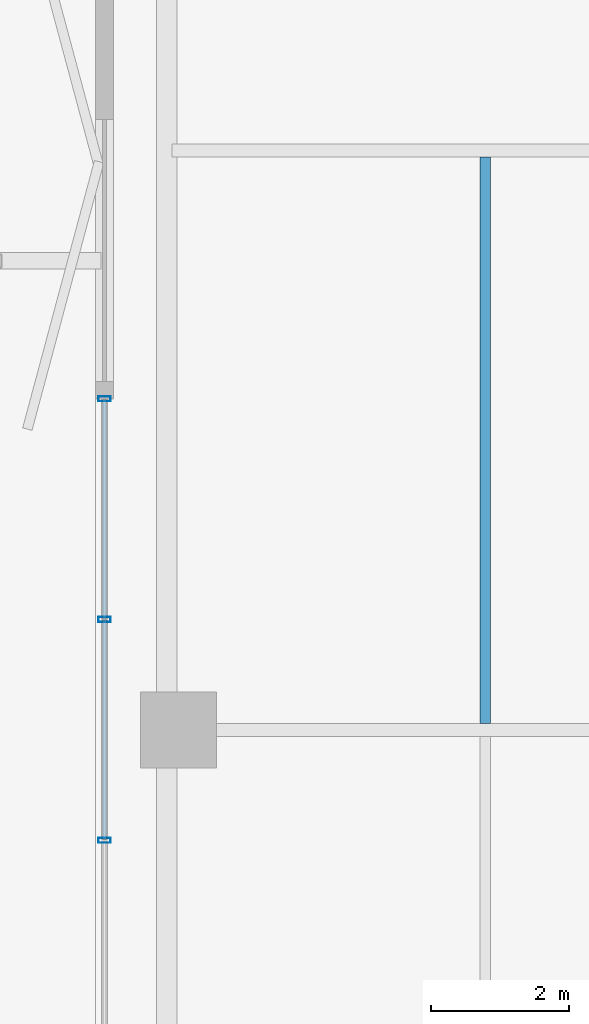
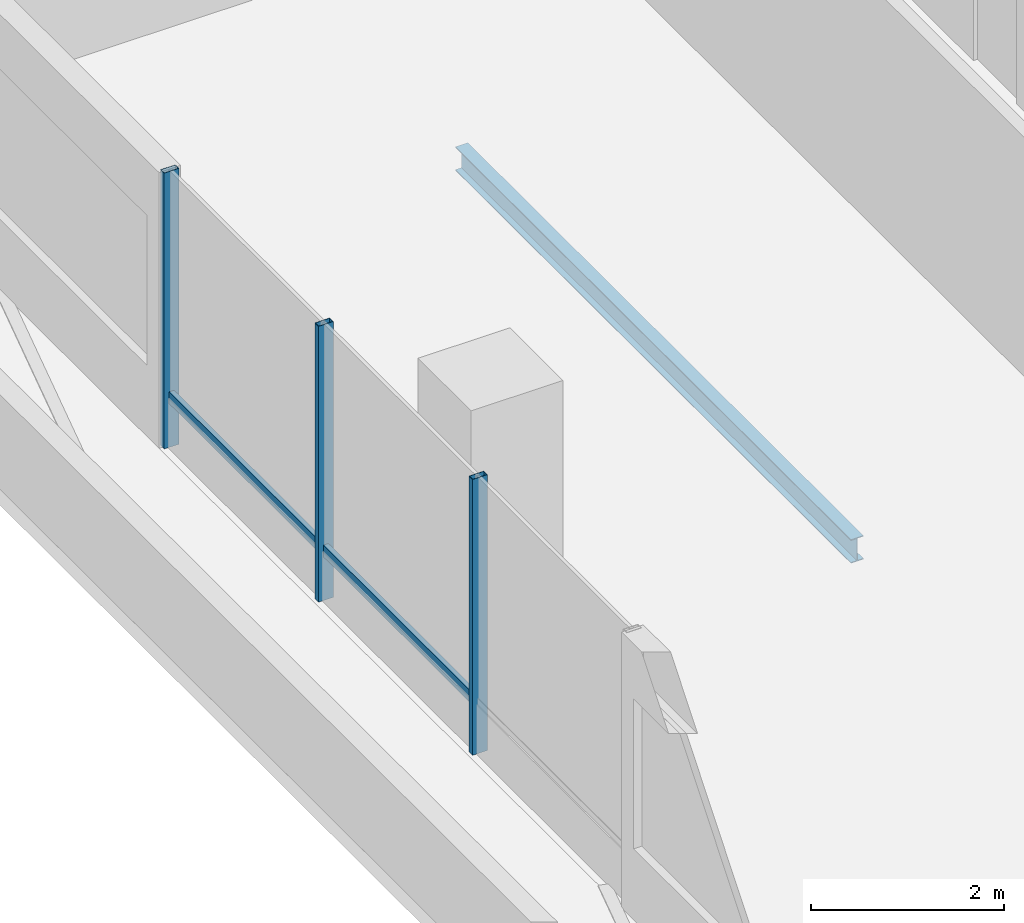
# One storey, part 6 of 16: 5 members, 1 beam, 1 element without a shape of its own.
"""IFC4 building model written with IfcOpenShell, lengths in metres."""

from ifc_helpers import new_model, si_unit, direction, frame, origin, origin_2d, place, context, subcontext, project, spatial, hollow_rectangle, i_section, extrude, material, layer, layer_set, material_profile, profile_set, type_object, element, aggregate, save


model = new_model("IFC4")

# Units and contexts
model_context = context("Model", 3, precision=1e-05, world=origin(), true_north=direction((0.0, 1.0)))
body_context = subcontext(model_context, "Body", "Model", "MODEL_VIEW")
ifc_project = project(units=[si_unit("LENGTHUNIT", "METRE"), si_unit("AREAUNIT", "SQUARE_METRE"), si_unit("VOLUMEUNIT", "CUBIC_METRE"), si_unit("PLANEANGLEUNIT", "RADIAN"), si_unit("MASSUNIT", "GRAM", prefix="KILO")], contexts=[model_context])

# Site, building, storey
site_placement = place(None, origin())
site = spatial("IfcSite", under=ifc_project, at=site_placement, CompositionType="ELEMENT")
building_placement = place(site_placement, origin())
building = spatial("IfcBuilding", under=site, at=building_placement, Name="Belovzor Exchange Tower", CompositionType="ELEMENT")
storey_placement = place(building_placement, frame((0.0, 0.0, 138.300048828125)))
storey = spatial("IfcBuildingStorey", under=building, at=storey_placement, Name="L33", CompositionType="ELEMENT", Elevation=138.300048828125)

# Beam
ifc_material_1 = material(Name="Steel S355", Category="steel")
ifc_material_profile_1 = material_profile(ifc_material_1, i_section(OverallWidth=0.14990234375, OverallDepth=0.300048828125, WebThickness=0.007080078125, FlangeThickness=0.0107421875, at=origin_2d()))
ifc_profile_set_1 = profile_set([ifc_material_profile_1], Name="Steel S355")
beam_type = type_object("IfcBeamType", Name="Secondary Trim Floor Joist IPE 300", PredefinedType="BEAM", material=ifc_profile_set_1)
beam_placement = place(storey_placement, frame((10.14892578125, 28.89501953125, -0.405029296875), z_axis=(0.0, 1.0, 0.0), x_axis=(-1.0, 0.0, 0.0)))
element("IfcBeam", 1, at=beam_placement, inside=storey, type_object=beam_type, Name="FJ-300 Secondary Trim Floor Joist IPE 300", PredefinedType="BEAM", context=body_context, shape_type="SweptSolid", body=[
    extrude(i_section(OverallWidth=0.14990234375, OverallDepth=0.300048828125, WebThickness=0.007080078125, FlangeThickness=0.0107421875, at=origin_2d()), origin(), (0.0, 0.0, 1.0), 8.2099609375),
])

# Curtain wall, members
ifc_material_2 = material(Name="Anodised Aluminium Framing", Category="aluminium")
ifc_layer = layer(ifc_material_2, 0.179931640625)
ifc_layer_set = layer_set([ifc_layer], Name="Anodised Aluminium Framing")
curtain_wall_type = type_object("IfcCurtainWallType", Name="Recessed Loggia Low-Iron Triple-Glazed Curtain Wall", PredefinedType="NOTDEFINED", material=ifc_layer_set)
curtain_wall_placement = place(storey_placement, origin())
curtain_wall = element("IfcCurtainWall", 2, at=curtain_wall_placement, inside=storey, type_object=curtain_wall_type, Name="CW3 Recessed Loggia Low-Iron Triple-Glazed Curtain Wall L33", PredefinedType="NOTDEFINED")
ifc_material_3 = material(Name="Steel S355", Category="steel")
ifc_material_profile_2 = material_profile(ifc_material_3, hollow_rectangle(XDim=0.074951171875, YDim=0.179931640625, WallThickness=0.0048828125, at=origin_2d()))
ifc_profile_set_2 = profile_set([ifc_material_profile_2], Name="Steel S355")
member_type_1 = type_object("IfcMemberType", Name="Thermally Broken Curtain Wall Mullion 180x75", PredefinedType="MULLION", material=ifc_profile_set_2)
member_1_placement = place(storey_placement, frame((4.6298828125, 27.199951171875, 0.0), z_axis=(0.0, 0.0, 1.0), x_axis=(0.0, 1.0, 0.0)))
member_1 = element("IfcMember", 3, at=member_1_placement, type_object=member_type_1, Name="CW-M180 Curtain Wall Mullion 2", PredefinedType="MULLION", context=body_context, shape_type="SweptSolid", body=[
    extrude(hollow_rectangle(XDim=0.074951171875, YDim=0.179931640625, WallThickness=0.0048828125, at=origin_2d()), origin(), (0.0, 0.0, 1.0), 3.494873046875),
])
member_2_placement = place(storey_placement, frame((4.6298828125, 30.39990234375, 0.0), z_axis=(0.0, 0.0, 1.0), x_axis=(0.0, 1.0, 0.0)))
member_2 = element("IfcMember", 4, at=member_2_placement, type_object=member_type_1, Name="CW-M180 Curtain Wall Mullion 3", PredefinedType="MULLION", context=body_context, shape_type="SweptSolid", body=[
    extrude(hollow_rectangle(XDim=0.074951171875, YDim=0.179931640625, WallThickness=0.0048828125, at=origin_2d()), origin(), (0.0, 0.0, 1.0), 3.494873046875),
])
member_3_placement = place(storey_placement, frame((4.6298828125, 33.60009765625, 0.0), z_axis=(0.0, 0.0, 1.0), x_axis=(0.0, 1.0, 0.0)))
member_3 = element("IfcMember", 5, at=member_3_placement, type_object=member_type_1, Name="CW-M180 Curtain Wall Mullion 4", PredefinedType="MULLION", context=body_context, shape_type="SweptSolid", body=[
    extrude(hollow_rectangle(XDim=0.074951171875, YDim=0.179931640625, WallThickness=0.0048828125, at=origin_2d()), origin(), (0.0, 0.0, 1.0), 3.494873046875),
])
ifc_material_4 = material(Name="Steel S355", Category="steel")
ifc_material_profile_3 = material_profile(ifc_material_4, hollow_rectangle(XDim=0.06005859375, YDim=0.14990234375, WallThickness=0.00390625, at=origin_2d()))
ifc_profile_set_3 = profile_set([ifc_material_profile_3], Name="Steel S355")
member_type_2 = type_object("IfcMemberType", Name="Thermally Broken Curtain Wall Transom 150x60", PredefinedType="USERDEFINED", material=ifc_profile_set_3)
member_4_placement = place(storey_placement, frame((4.6298828125, 27.2080078125, 0.62890625), z_axis=(0.0, 1.0, 0.0), x_axis=(-1.0, 0.0, 0.0)))
member_4 = element("IfcMember", 6, at=member_4_placement, type_object=member_type_2, Name="CW-T150 Curtain Wall Transom 2", ObjectType="TRANSOM", PredefinedType="USERDEFINED", context=body_context, shape_type="SweptSolid", body=[
    extrude(hollow_rectangle(XDim=0.06005859375, YDim=0.14990234375, WallThickness=0.00390625, at=origin_2d()), origin(), (0.0, 0.0, 1.0), 3.18408203125),
])
member_5_placement = place(storey_placement, frame((4.6298828125, 30.407958984375, 0.62890625), z_axis=(0.0, 1.0, 0.0), x_axis=(-1.0, 0.0, 0.0)))
member_5 = element("IfcMember", 7, at=member_5_placement, type_object=member_type_2, Name="CW-T150 Curtain Wall Transom 3", ObjectType="TRANSOM", PredefinedType="USERDEFINED", context=body_context, shape_type="SweptSolid", body=[
    extrude(hollow_rectangle(XDim=0.06005859375, YDim=0.14990234375, WallThickness=0.00390625, at=origin_2d()), origin(), (0.0, 0.0, 1.0), 3.18408203125),
])
aggregate(curtain_wall, [member_1, member_2, member_3, member_4, member_5])

save(model, "model.ifc")
